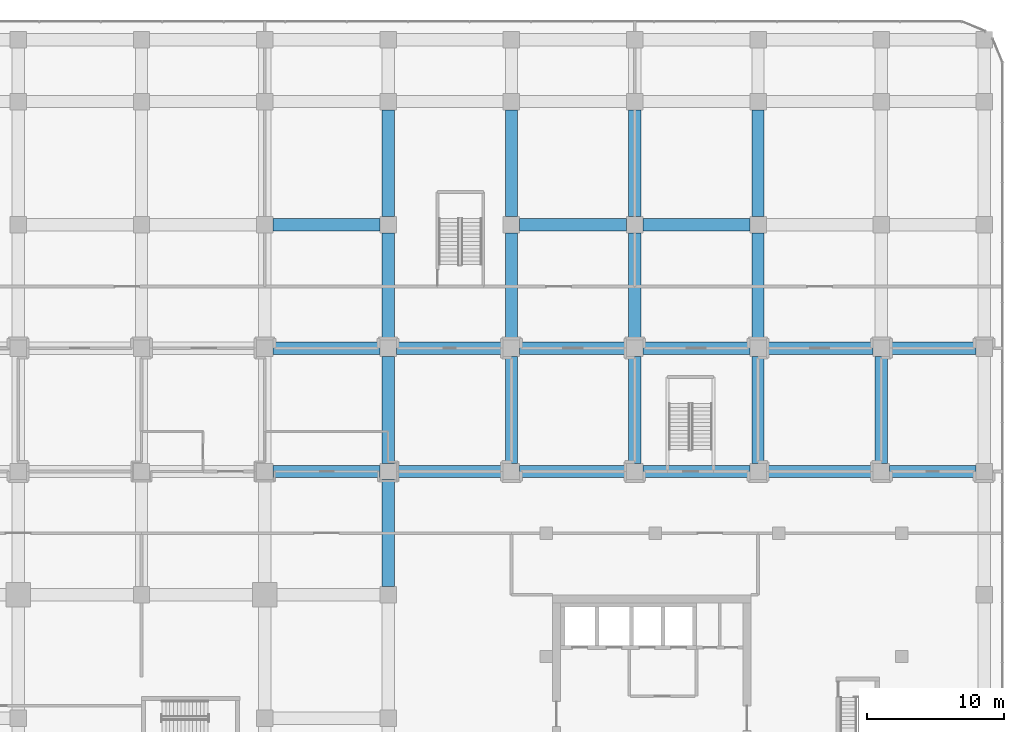
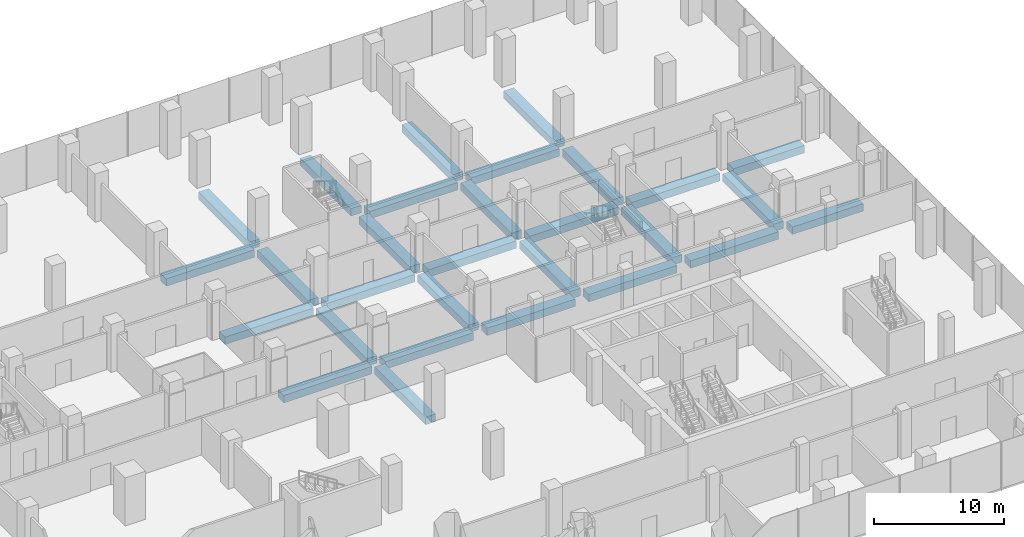
# One storey, part 17 of 43: 29 beams.
"""IFC4 building model written with IfcOpenShell, lengths in metres."""

from ifc_helpers import new_model, si_unit, direction, frame, origin, origin_2d, place, context, subcontext, project, spatial, rectangle, extrude, material, material_profile, profile_set, type_object, element, save


model = new_model("IFC4")

# Units and contexts
model_context = context("Model", 3, precision=1e-05, world=origin(), true_north=direction((0.0, 1.0)))
body_context = subcontext(model_context, "Body", "Model", "MODEL_VIEW")
ifc_project = project(units=[si_unit("LENGTHUNIT", "METRE"), si_unit("AREAUNIT", "SQUARE_METRE"), si_unit("VOLUMEUNIT", "CUBIC_METRE"), si_unit("PLANEANGLEUNIT", "RADIAN"), si_unit("MASSUNIT", "GRAM", prefix="KILO")], contexts=[model_context])

# Site, building, storey
site_placement = place(None, origin())
site = spatial("IfcSite", under=ifc_project, at=site_placement, CompositionType="ELEMENT")
building_placement = place(site_placement, origin())
building = spatial("IfcBuilding", under=site, at=building_placement, Name="Plateau Cross Towers", CompositionType="ELEMENT")
storey_placement = place(building_placement, frame((0.0, 0.0, 12.800048828125)))
storey = spatial("IfcBuildingStorey", under=building, at=storey_placement, Name="L02", CompositionType="ELEMENT", Elevation=12.800048828125)

# Beams
ifc_material = material(Name="Concrete C50/60", Category="concrete")
ifc_material_profile = material_profile(ifc_material, rectangle(XDim=0.89990234375, YDim=0.699951171875, at=origin_2d()), Name="RC 900x700")
ifc_profile_set = profile_set([ifc_material_profile], Name="Concrete C50/60")
beam_type = type_object("IfcBeamType", Name="Podium band beam RC 900x700", PredefinedType="BEAM", material=ifc_profile_set)
for number, where, z_axis, x_axis, name in (
    (1, (54.60009765625, 27.0, -0.699951171875), (1.0, 0.0, 0.0), (0.0, 1.0, 0.0), "PB39@L02"),
    (2, (63.60009765625, 27.0, -0.699951171875), (1.0, 0.0, 0.0), (0.0, 1.0, 0.0), "PB40@L02"),
    (3, (72.60009765625, 27.0, -0.699951171875), (1.0, 0.0, 0.0), (0.0, 1.0, 0.0), "PB41@L02"),
    (4, (81.60009765625, 27.0, -0.699951171875), (1.0, 0.0, 0.0), (0.0, 1.0, 0.0), "PB42@L02"),
    (5, (90.60009765625, 27.0, -0.699951171875), (1.0, 0.0, 0.0), (0.0, 1.0, 0.0), "PB43@L02"),
):
    element("IfcBeam", number, at=place(storey_placement, frame(where, z_axis=z_axis, x_axis=x_axis)), inside=storey, type_object=beam_type, Name=name, PredefinedType="BEAM", context=body_context, shape_type="SweptSolid", body=[
        extrude(rectangle(XDim=0.89990234375, YDim=0.699951171875, at=origin_2d()), origin(), (0.0, 0.0, 1.0), 7.7998046875),
    ])
beam_1_placement = place(storey_placement, frame((99.60009765625, 27.0, -0.699951171875), z_axis=(1.0, 0.0, 0.0), x_axis=(0.0, 1.0, 0.0)))
element("IfcBeam", 6, at=beam_1_placement, inside=storey, type_object=beam_type, Name="PB44@L02", PredefinedType="BEAM", context=body_context, shape_type="SweptSolid", body=[
    extrude(rectangle(XDim=0.89990234375, YDim=0.699951171875, at=origin_2d()), origin(), (0.0, 0.0, 1.0), 6.2998046875),
])
for number, where, z_axis, x_axis, name in (
    (7, (54.60009765625, 36.0, -0.699951171875), (1.0, 0.0, 0.0), (0.0, 1.0, 0.0), "PB52@L02"),
    (8, (63.60009765625, 36.0, -0.699951171875), (1.0, 0.0, 0.0), (0.0, 1.0, 0.0), "PB53@L02"),
    (9, (72.60009765625, 36.0, -0.699951171875), (1.0, 0.0, 0.0), (0.0, 1.0, 0.0), "PB54@L02"),
    (10, (81.60009765625, 36.0, -0.699951171875), (1.0, 0.0, 0.0), (0.0, 1.0, 0.0), "PB55@L02"),
    (11, (90.60009765625, 36.0, -0.699951171875), (1.0, 0.0, 0.0), (0.0, 1.0, 0.0), "PB56@L02"),
):
    element("IfcBeam", number, at=place(storey_placement, frame(where, z_axis=z_axis, x_axis=x_axis)), inside=storey, type_object=beam_type, Name=name, PredefinedType="BEAM", context=body_context, shape_type="SweptSolid", body=[
        extrude(rectangle(XDim=0.89990234375, YDim=0.699951171875, at=origin_2d()), origin(), (0.0, 0.0, 1.0), 7.7998046875),
    ])
beam_2_placement = place(storey_placement, frame((99.60009765625, 36.0, -0.699951171875), z_axis=(1.0, 0.0, 0.0), x_axis=(0.0, 1.0, 0.0)))
element("IfcBeam", 12, at=beam_2_placement, inside=storey, type_object=beam_type, Name="PB57@L02", PredefinedType="BEAM", context=body_context, shape_type="SweptSolid", body=[
    extrude(rectangle(XDim=0.89990234375, YDim=0.699951171875, at=origin_2d()), origin(), (0.0, 0.0, 1.0), 6.2998046875),
])
for number, where, z_axis, x_axis, name in (
    (13, (54.60009765625, 45.0, -0.699951171875), (1.0, 0.0, 0.0), (0.0, 1.0, 0.0), "PB62@L02"),
    (14, (72.60009765625, 45.0, -0.699951171875), (1.0, 0.0, 0.0), (0.0, 1.0, 0.0), "PB63@L02"),
    (15, (81.60009765625, 45.0, -0.699951171875), (1.0, 0.0, 0.0), (0.0, 1.0, 0.0), "PB64@L02"),
    (16, (63.0, 18.60009765625, -0.699951171875), (0.0, 1.0, 0.0), (-1.0, 0.0, 0.0), "PB152@L02"),
    (17, (63.0, 27.60009765625, -0.699951171875), (0.0, 1.0, 0.0), (-1.0, 0.0, 0.0), "PB153@L02"),
    (18, (63.0, 36.60009765625, -0.699951171875), (0.0, 1.0, 0.0), (-1.0, 0.0, 0.0), "PB154@L02"),
    (19, (63.0, 45.60009765625, -0.699951171875), (0.0, 1.0, 0.0), (-1.0, 0.0, 0.0), "PB155@L02"),
    (20, (72.0, 27.60009765625, -0.699951171875), (0.0, 1.0, 0.0), (-1.0, 0.0, 0.0), "PB157@L02"),
    (21, (72.0, 36.60009765625, -0.699951171875), (0.0, 1.0, 0.0), (-1.0, 0.0, 0.0), "PB158@L02"),
    (22, (72.0, 45.60009765625, -0.699951171875), (0.0, 1.0, 0.0), (-1.0, 0.0, 0.0), "PB159@L02"),
    (23, (81.0, 27.60009765625, -0.699951171875), (0.0, 1.0, 0.0), (-1.0, 0.0, 0.0), "PB161@L02"),
    (24, (81.0, 36.60009765625, -0.699951171875), (0.0, 1.0, 0.0), (-1.0, 0.0, 0.0), "PB162@L02"),
    (25, (81.0, 45.60009765625, -0.699951171875), (0.0, 1.0, 0.0), (-1.0, 0.0, 0.0), "PB163@L02"),
    (26, (90.0, 27.60009765625, -0.699951171875), (0.0, 1.0, 0.0), (-1.0, 0.0, 0.0), "PB165@L02"),
    (27, (90.0, 36.60009765625, -0.699951171875), (0.0, 1.0, 0.0), (-1.0, 0.0, 0.0), "PB166@L02"),
    (28, (90.0, 45.60009765625, -0.699951171875), (0.0, 1.0, 0.0), (-1.0, 0.0, 0.0), "PB167@L02"),
    (29, (99.0, 27.60009765625, -0.699951171875), (0.0, 1.0, 0.0), (-1.0, 0.0, 0.0), "PB169@L02"),
):
    element("IfcBeam", number, at=place(storey_placement, frame(where, z_axis=z_axis, x_axis=x_axis)), inside=storey, type_object=beam_type, Name=name, PredefinedType="BEAM", context=body_context, shape_type="SweptSolid", body=[
        extrude(rectangle(XDim=0.89990234375, YDim=0.699951171875, at=origin_2d()), origin(), (0.0, 0.0, 1.0), 7.7998046875),
    ])

save(model, "model.ifc")
